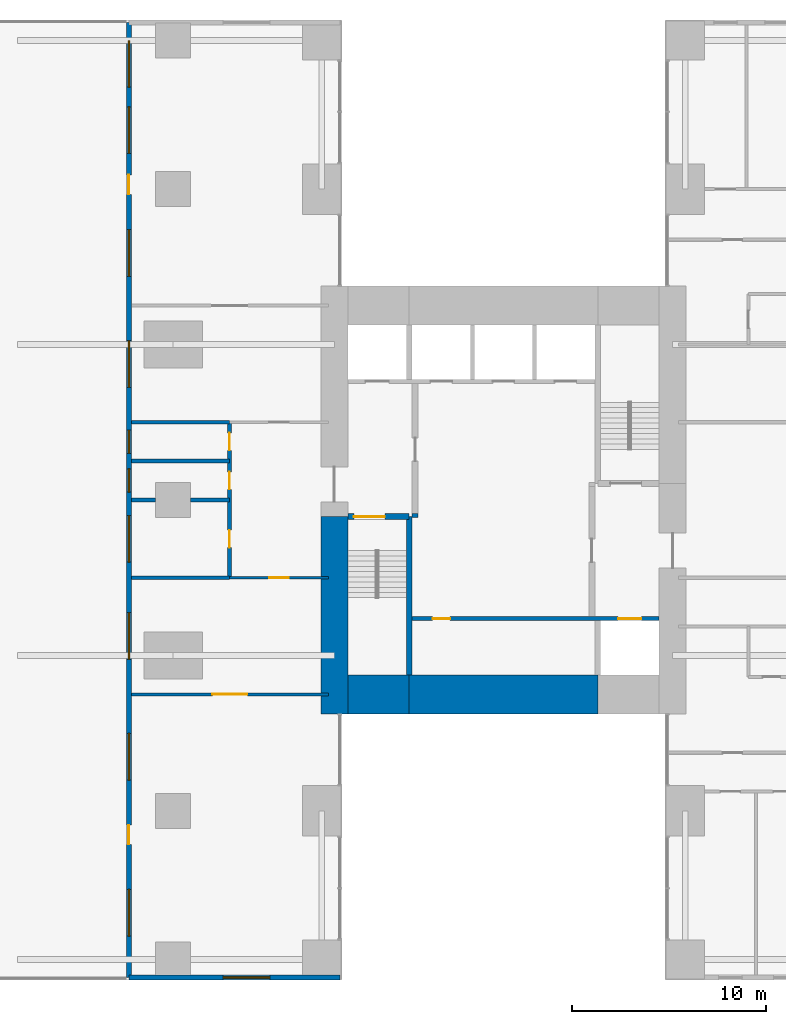
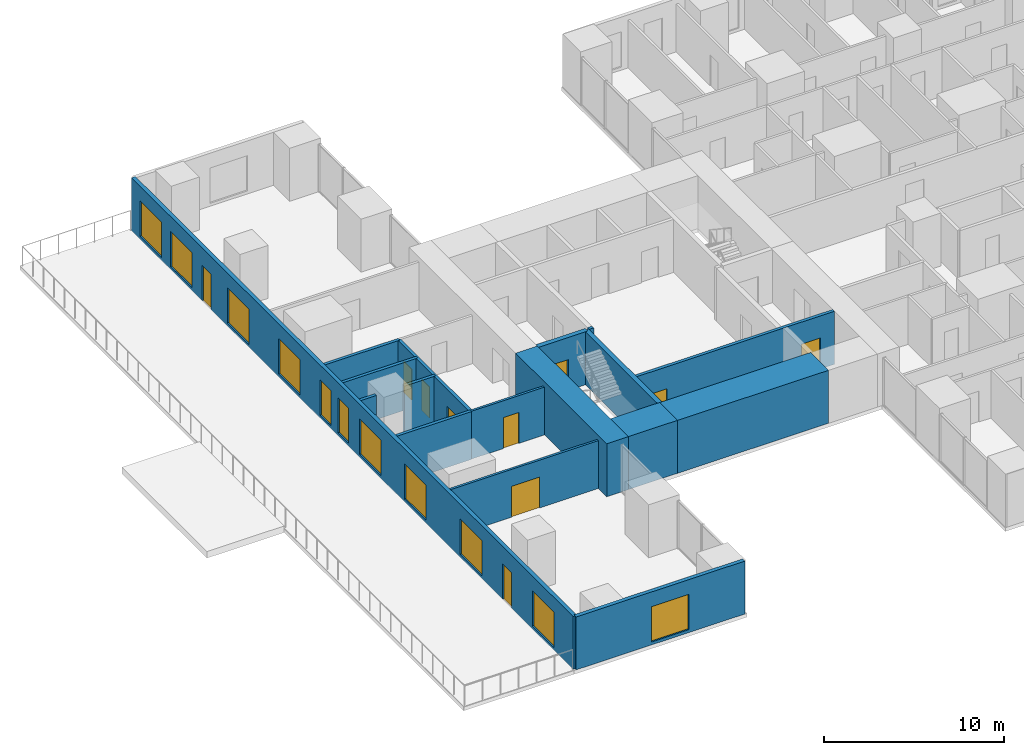
# One storey, part 9 of 15: 17 walls, 11 windows, 10 doors, 21 openings.
"""IFC4 building model written with IfcOpenShell, lengths in metres."""

from ifc_helpers import new_model, si_unit, direction, frame, frame_2d, origin, place, context, subcontext, project, spatial, rectangle, extrude, material, layer, layer_set, type_object, element, fill, save


model = new_model("IFC4")

# Units and contexts
model_context = context("Model", 3, precision=1e-05, world=origin(), true_north=direction((0.0, 1.0)))
body_context = subcontext(model_context, "Body", "Model", "MODEL_VIEW")
ifc_project = project(units=[si_unit("LENGTHUNIT", "METRE"), si_unit("AREAUNIT", "SQUARE_METRE"), si_unit("VOLUMEUNIT", "CUBIC_METRE"), si_unit("PLANEANGLEUNIT", "RADIAN"), si_unit("MASSUNIT", "GRAM", prefix="KILO")], contexts=[model_context])

# Site, building, storey
site_placement = place(None, origin())
site = spatial("IfcSite", under=ifc_project, at=site_placement, CompositionType="ELEMENT")
building_placement = place(site_placement, origin())
building = spatial("IfcBuilding", under=site, at=building_placement, Name="Cleftline Residences", CompositionType="ELEMENT")
storey_placement = place(building_placement, frame((0.0, 0.0, 221.800048828125)))
storey = spatial("IfcBuildingStorey", under=building, at=storey_placement, Name="L58", CompositionType="ELEMENT", Elevation=221.800048828125)

# Walls
ifc_material_1 = material(Name="Concrete B70", Category="concrete")
ifc_layer_1 = layer(ifc_material_1, 1.39990234375)
ifc_layer_set_1 = layer_set([ifc_layer_1], Name="CORE WALL 1400")
wall_type_1 = type_object("IfcWallType", Name="CORE WALL 1400", PredefinedType="SHEAR", material=ifc_layer_set_1)
wall_1_placement = place(storey_placement, frame((24.300048828125, 13.0, 0.0), z_axis=(0.0, 0.0, 1.0), x_axis=(0.0, 1.0, 0.0)))
element("IfcWall", 1, at=wall_1_placement, inside=storey, type_object=wall_type_1, Name="Core wall W0", PredefinedType="SHEAR", context=body_context, shape_type="SweptSolid", body=[
    extrude(rectangle(XDim=10.14990234375, YDim=1.39990234375, at=frame_2d((5.074951171875, 0.0))), origin(), (0.0, 0.0, 1.0), 3.599853515625),
])
ifc_material_2 = material(Name="Concrete B70", Category="concrete")
ifc_layer_2 = layer(ifc_material_2, 2.0)
ifc_layer_set_2 = layer_set([ifc_layer_2], Name="CORE WALL 2000")
wall_type_2 = type_object("IfcWallType", Name="CORE WALL 2000", PredefinedType="SHEAR", material=ifc_layer_set_2)
wall_2_placement = place(storey_placement, frame((25.0, 14.0, 0.0), z_axis=(0.0, 0.0, 1.0), x_axis=(1.0, 0.0, 0.0)))
element("IfcWall", 2, at=wall_2_placement, inside=storey, type_object=wall_type_2, Name="Core wall S1", PredefinedType="SHEAR", context=body_context, shape_type="SweptSolid", body=[
    extrude(rectangle(XDim=3.14990234375, YDim=2.0, at=frame_2d((1.574951171875, 0.0))), origin(), (0.0, 0.0, 1.0), 3.599853515625),
])
wall_3_placement = place(storey_placement, frame((28.14990234375, 14.0, 0.0), z_axis=(0.0, 0.0, 1.0), x_axis=(1.0, 0.0, 0.0)))
element("IfcWall", 3, at=wall_3_placement, inside=storey, type_object=wall_type_2, Name="Core wall S2", PredefinedType="SHEAR", context=body_context, shape_type="SweptSolid", body=[
    extrude(rectangle(XDim=9.7001953125, YDim=2.0, at=frame_2d((4.85009765625, 0.0))), origin(), (0.0, 0.0, 1.0), 3.599853515625),
])
ifc_material_3 = material(Name="Concrete B70", Category="concrete")
ifc_layer_3 = layer(ifc_material_3, 0.300048828125)
ifc_layer_set_3 = layer_set([ifc_layer_3], Name="CORE WALL 300")
wall_type_3 = type_object("IfcWallType", Name="CORE WALL 300", PredefinedType="SHEAR", material=ifc_layer_set_3)
wall_4_placement = place(storey_placement, frame((28.14990234375, 15.0, 0.0), z_axis=(0.0, 0.0, 1.0), x_axis=(0.0, 1.0, 0.0)))
element("IfcWall", 4, at=wall_4_placement, inside=storey, type_object=wall_type_3, Name="Core wall SA-E", PredefinedType="SHEAR", context=body_context, shape_type="SweptSolid", body=[
    extrude(rectangle(XDim=8.14990234375, YDim=0.300048828125, at=frame_2d((4.074951171875, 0.0))), origin(), (0.0, 0.0, 1.0), 3.599853515625),
])

# Wall, opening, door
wall_5_placement = place(storey_placement, frame((25.0, 23.14990234375, 0.0), z_axis=(0.0, 0.0, 1.0), x_axis=(1.0, 0.0, 0.0)))
wall_5 = element("IfcWall", 5, at=wall_5_placement, inside=storey, type_object=wall_type_3, Name="Core wall SA-N", PredefinedType="SHEAR", context=body_context, shape_type="SweptSolid", body=[
    extrude(rectangle(XDim=3.14990234375, YDim=0.300048828125, at=frame_2d((1.574951171875, 0.0))), origin(), (0.0, 0.0, 1.0), 3.599853515625),
])
opening_1_placement = place(wall_5_placement, frame((0.300048828125, 0.0, 0.0)))
opening_1 = element("IfcOpeningElement", 6, at=opening_1_placement, cuts=wall_5, Name="Opening D9", PredefinedType="OPENING", context=body_context, shape_type="SweptSolid", body=[
    extrude(rectangle(XDim=1.60009765625, YDim=2.10009765625, at=frame_2d((0.800048828125, 1.050048828125))), frame((0.0, 0.159912109375, 0.0), z_axis=(0.0, -1.0, 0.0), x_axis=(1.0, 0.0, 0.0)), (0.0, 0.0, 1.0), 0.320068359375),
])
ifc_material_4 = material(Name="Steel", Category="steel")
door_type_1 = type_object("IfcDoorType", Name="STAIR DOOR 1600X2100", OperationType="DOUBLE_DOOR_SINGLE_SWING", PredefinedType="DOOR", material=ifc_material_4)
door_1_placement = place(opening_1_placement, origin())
door_1 = element("IfcDoor", 7, at=door_1_placement, inside=storey, type_object=door_type_1, Name="Stair A door", OperationType="DOUBLE_DOOR_SINGLE_SWING", OverallHeight=2.10009765625, OverallWidth=1.60009765625, PredefinedType="DOOR", context=body_context, shape_type="SweptSolid", body=[
    extrude(rectangle(XDim=1.60009765625, YDim=2.10009765625, at=frame_2d((0.800048828125, 1.050048828125))), frame((0.0, 0.02490234375, 0.0), z_axis=(0.0, -1.0, 0.0), x_axis=(1.0, 0.0, 0.0)), (0.0, 0.0, 1.0), 0.050048828125),
])
fill(opening_1, door_1)

# Wall, openings, doors, windows
ifc_material_5 = material(Name="Rendered reinforced concrete blockwork", Category="masonry")
ifc_layer_4 = layer(ifc_material_5, 0.25)
ifc_layer_set_4 = layer_set([ifc_layer_4], Name="EXTERNAL WALL 250")
wall_type_4 = type_object("IfcWallType", Name="EXTERNAL WALL 250", PredefinedType="SOLIDWALL", material=ifc_layer_set_4)
wall_6_placement = place(storey_placement, frame((13.72509765625, 48.574951171875, 0.0), z_axis=(0.0, 0.0, 1.0), x_axis=(0.0, -1.0, 0.0)))
wall_6 = element("IfcWall", 8, at=wall_6_placement, inside=storey, type_object=wall_type_4, Name="External wall", PredefinedType="SOLIDWALL", context=body_context, shape_type="SweptSolid", body=[
    extrude(rectangle(XDim=49.14990234375, YDim=0.25, at=frame_2d((24.574951171875, 0.0))), origin(), (0.0, 0.0, 1.0), 3.599853515625),
])
opening_2_placement = place(wall_6_placement, frame((7.85009765625, 0.0, 0.0)))
opening_2 = element("IfcOpeningElement", 9, at=opening_2_placement, cuts=wall_6, Name="Opening DT1", PredefinedType="OPENING", context=body_context, shape_type="SweptSolid", body=[
    extrude(rectangle(XDim=1.0, YDim=2.39990234375, at=frame_2d((0.5, 1.199951171875))), frame((0.0, 0.135009765625, 0.0), z_axis=(0.0, -1.0, 0.0), x_axis=(1.0, 0.0, 0.0)), (0.0, 0.0, 1.0), 0.27001953125),
])
opening_3_placement = place(wall_6_placement, frame((0.93115234375, 0.0, 0.199951171875)))
opening_3 = element("IfcOpeningElement", 10, at=opening_3_placement, cuts=wall_6, Name="Opening W9", PredefinedType="OPENING", context=body_context, shape_type="SweptSolid", body=[
    extrude(rectangle(XDim=2.39990234375, YDim=2.39990234375, at=frame_2d((1.199951171875, 1.199951171875))), frame((0.0, 0.135009765625, 0.0), z_axis=(0.0, -1.0, 0.0), x_axis=(1.0, 0.0, 0.0)), (0.0, 0.0, 1.0), 0.27001953125),
])
opening_4_placement = place(wall_6_placement, frame((4.34375, 0.0, 0.199951171875)))
opening_4 = element("IfcOpeningElement", 11, at=opening_4_placement, cuts=wall_6, Name="Opening W9", PredefinedType="OPENING", context=body_context, shape_type="SweptSolid", body=[
    extrude(rectangle(XDim=2.39990234375, YDim=2.39990234375, at=frame_2d((1.199951171875, 1.199951171875))), frame((0.0, 0.135009765625, 0.0), z_axis=(0.0, -1.0, 0.0), x_axis=(1.0, 0.0, 0.0)), (0.0, 0.0, 1.0), 0.27001953125),
])
opening_5_placement = place(wall_6_placement, frame((10.66259765625, 0.0, 0.199951171875)))
opening_5 = element("IfcOpeningElement", 12, at=opening_5_placement, cuts=wall_6, Name="Opening W9", PredefinedType="OPENING", context=body_context, shape_type="SweptSolid", body=[
    extrude(rectangle(XDim=2.39990234375, YDim=2.39990234375, at=frame_2d((1.199951171875, 1.199951171875))), frame((0.0, 0.135009765625, 0.0), z_axis=(0.0, -1.0, 0.0), x_axis=(1.0, 0.0, 0.0)), (0.0, 0.0, 1.0), 0.27001953125),
])
opening_6_placement = place(wall_6_placement, frame((16.375, 0.0, 0.199951171875)))
opening_6 = element("IfcOpeningElement", 13, at=opening_6_placement, cuts=wall_6, Name="Opening W9", PredefinedType="OPENING", context=body_context, shape_type="SweptSolid", body=[
    extrude(rectangle(XDim=2.39990234375, YDim=2.39990234375, at=frame_2d((1.199951171875, 1.199951171875))), frame((0.0, 0.135009765625, 0.0), z_axis=(0.0, -1.0, 0.0), x_axis=(1.0, 0.0, 0.0)), (0.0, 0.0, 1.0), 0.27001953125),
])
opening_7_placement = place(wall_6_placement, frame((20.97509765625, 0.0, 0.199951171875)))
opening_7 = element("IfcOpeningElement", 14, at=opening_7_placement, cuts=wall_6, Name="Opening W13", PredefinedType="OPENING", context=body_context, shape_type="SweptSolid", body=[
    extrude(rectangle(XDim=1.199951171875, YDim=2.39990234375, at=frame_2d((0.60009765625, 1.199951171875))), frame((0.0, 0.135009765625, 0.0), z_axis=(0.0, -1.0, 0.0), x_axis=(1.0, 0.0, 0.0)), (0.0, 0.0, 1.0), 0.27001953125),
])
opening_8_placement = place(wall_6_placement, frame((22.97509765625, 0.0, 0.199951171875)))
opening_8 = element("IfcOpeningElement", 15, at=opening_8_placement, cuts=wall_6, Name="Opening W13", PredefinedType="OPENING", context=body_context, shape_type="SweptSolid", body=[
    extrude(rectangle(XDim=1.199951171875, YDim=2.39990234375, at=frame_2d((0.60009765625, 1.199951171875))), frame((0.0, 0.135009765625, 0.0), z_axis=(0.0, -1.0, 0.0), x_axis=(1.0, 0.0, 0.0)), (0.0, 0.0, 1.0), 0.27001953125),
])
opening_9_placement = place(wall_6_placement, frame((25.375, 0.0, 0.199951171875)))
opening_9 = element("IfcOpeningElement", 16, at=opening_9_placement, cuts=wall_6, Name="Opening W9", PredefinedType="OPENING", context=body_context, shape_type="SweptSolid", body=[
    extrude(rectangle(XDim=2.39990234375, YDim=2.39990234375, at=frame_2d((1.199951171875, 1.199951171875))), frame((0.0, 0.135009765625, 0.0), z_axis=(0.0, -1.0, 0.0), x_axis=(1.0, 0.0, 0.0)), (0.0, 0.0, 1.0), 0.27001953125),
])
opening_10_placement = place(wall_6_placement, frame((30.375, 0.0, 0.199951171875)))
opening_10 = element("IfcOpeningElement", 17, at=opening_10_placement, cuts=wall_6, Name="Opening W9", PredefinedType="OPENING", context=body_context, shape_type="SweptSolid", body=[
    extrude(rectangle(XDim=2.39990234375, YDim=2.39990234375, at=frame_2d((1.199951171875, 1.199951171875))), frame((0.0, 0.135009765625, 0.0), z_axis=(0.0, -1.0, 0.0), x_axis=(1.0, 0.0, 0.0)), (0.0, 0.0, 1.0), 0.27001953125),
])
opening_11_placement = place(wall_6_placement, frame((41.300048828125, 0.0, 0.0)))
opening_11 = element("IfcOpeningElement", 18, at=opening_11_placement, cuts=wall_6, Name="Opening DT1", PredefinedType="OPENING", context=body_context, shape_type="SweptSolid", body=[
    extrude(rectangle(XDim=1.0, YDim=2.39990234375, at=frame_2d((0.5, 1.199951171875))), frame((0.0, 0.135009765625, 0.0), z_axis=(0.0, -1.0, 0.0), x_axis=(1.0, 0.0, 0.0)), (0.0, 0.0, 1.0), 0.27001953125),
])
opening_12_placement = place(wall_6_placement, frame((36.58740234375, 0.0, 0.199951171875)))
opening_12 = element("IfcOpeningElement", 19, at=opening_12_placement, cuts=wall_6, Name="Opening W9", PredefinedType="OPENING", context=body_context, shape_type="SweptSolid", body=[
    extrude(rectangle(XDim=2.39990234375, YDim=2.39990234375, at=frame_2d((1.199951171875, 1.199951171875))), frame((0.0, 0.135009765625, 0.0), z_axis=(0.0, -1.0, 0.0), x_axis=(1.0, 0.0, 0.0)), (0.0, 0.0, 1.0), 0.27001953125),
])
opening_13_placement = place(wall_6_placement, frame((44.612548828125, 0.0, 0.199951171875)))
opening_13 = element("IfcOpeningElement", 20, at=opening_13_placement, cuts=wall_6, Name="Opening W9", PredefinedType="OPENING", context=body_context, shape_type="SweptSolid", body=[
    extrude(rectangle(XDim=2.39990234375, YDim=2.39990234375, at=frame_2d((1.199951171875, 1.199951171875))), frame((0.0, 0.135009765625, 0.0), z_axis=(0.0, -1.0, 0.0), x_axis=(1.0, 0.0, 0.0)), (0.0, 0.0, 1.0), 0.27001953125),
])
ifc_material_6 = material(Name="Aluminium and laminated glass", Category="aluminium")
door_type_2 = type_object("IfcDoorType", Name="TERRACE DOOR 1000X2400", OperationType="SINGLE_SWING_LEFT", PredefinedType="DOOR", material=ifc_material_6)
door_2_placement = place(opening_2_placement, origin())
door_2 = element("IfcDoor", 21, at=door_2_placement, inside=storey, type_object=door_type_2, Name="Terrace door", OperationType="SINGLE_SWING_RIGHT", OverallHeight=2.39990234375, OverallWidth=1.0, PredefinedType="DOOR", context=body_context, shape_type="SweptSolid", body=[
    extrude(rectangle(XDim=1.0, YDim=2.39990234375, at=frame_2d((0.5, 1.199951171875))), frame((0.0, 0.02490234375, 0.0), z_axis=(0.0, -1.0, 0.0), x_axis=(1.0, 0.0, 0.0)), (0.0, 0.0, 1.0), 0.050048828125),
])
fill(opening_2, door_2)
door_3_placement = place(opening_11_placement, origin())
door_3 = element("IfcDoor", 22, at=door_3_placement, inside=storey, type_object=door_type_2, Name="Terrace door", OperationType="SINGLE_SWING_LEFT", OverallHeight=2.39990234375, OverallWidth=1.0, PredefinedType="DOOR", context=body_context, shape_type="SweptSolid", body=[
    extrude(rectangle(XDim=1.0, YDim=2.39990234375, at=frame_2d((0.5, 1.199951171875))), frame((0.0, 0.02490234375, 0.0), z_axis=(0.0, -1.0, 0.0), x_axis=(1.0, 0.0, 0.0)), (0.0, 0.0, 1.0), 0.050048828125),
])
fill(opening_11, door_3)
ifc_material_7 = material(Name="Aluminium frame, clear double glazing", Category="aluminium")
window_type_1 = type_object("IfcWindowType", Name="WINDOW 1200X2400", PartitioningType="DOUBLE_PANEL_VERTICAL", PredefinedType="WINDOW", material=ifc_material_7)
window_1_placement = place(opening_7_placement, origin())
window_1 = element("IfcWindow", 23, at=window_1_placement, inside=storey, type_object=window_type_1, Name="Window", OverallHeight=2.39990234375, OverallWidth=1.199951171875, PartitioningType="SINGLE_PANEL", PredefinedType="WINDOW", context=body_context, shape_type="SweptSolid", body=[
    extrude(rectangle(XDim=1.199951171875, YDim=2.39990234375, at=frame_2d((0.60009765625, 1.199951171875))), frame((0.0, 0.030029296875, 0.0), z_axis=(0.0, -1.0, 0.0), x_axis=(1.0, 0.0, 0.0)), (0.0, 0.0, 1.0), 0.06005859375),
])
fill(opening_7, window_1)
window_2_placement = place(opening_8_placement, origin())
window_2 = element("IfcWindow", 24, at=window_2_placement, inside=storey, type_object=window_type_1, Name="Window", OverallHeight=2.39990234375, OverallWidth=1.199951171875, PartitioningType="SINGLE_PANEL", PredefinedType="WINDOW", context=body_context, shape_type="SweptSolid", body=[
    extrude(rectangle(XDim=1.199951171875, YDim=2.39990234375, at=frame_2d((0.60009765625, 1.199951171875))), frame((0.0, 0.030029296875, 0.0), z_axis=(0.0, -1.0, 0.0), x_axis=(1.0, 0.0, 0.0)), (0.0, 0.0, 1.0), 0.06005859375),
])
fill(opening_8, window_2)
ifc_material_8 = material(Name="Aluminium frame, clear double glazing", Category="aluminium")
window_type_2 = type_object("IfcWindowType", Name="WINDOW 2400X2400", PartitioningType="DOUBLE_PANEL_VERTICAL", PredefinedType="WINDOW", material=ifc_material_8)
window_3_placement = place(opening_3_placement, origin())
window_3 = element("IfcWindow", 25, at=window_3_placement, inside=storey, type_object=window_type_2, Name="Window", OverallHeight=2.39990234375, OverallWidth=2.39990234375, PartitioningType="SINGLE_PANEL", PredefinedType="WINDOW", context=body_context, shape_type="SweptSolid", body=[
    extrude(rectangle(XDim=2.39990234375, YDim=2.39990234375, at=frame_2d((1.199951171875, 1.199951171875))), frame((0.0, 0.030029296875, 0.0), z_axis=(0.0, -1.0, 0.0), x_axis=(1.0, 0.0, 0.0)), (0.0, 0.0, 1.0), 0.06005859375),
])
fill(opening_3, window_3)
window_4_placement = place(opening_4_placement, origin())
window_4 = element("IfcWindow", 26, at=window_4_placement, inside=storey, type_object=window_type_2, Name="Window", OverallHeight=2.39990234375, OverallWidth=2.39990234375, PartitioningType="SINGLE_PANEL", PredefinedType="WINDOW", context=body_context, shape_type="SweptSolid", body=[
    extrude(rectangle(XDim=2.39990234375, YDim=2.39990234375, at=frame_2d((1.199951171875, 1.199951171875))), frame((0.0, 0.030029296875, 0.0), z_axis=(0.0, -1.0, 0.0), x_axis=(1.0, 0.0, 0.0)), (0.0, 0.0, 1.0), 0.06005859375),
])
fill(opening_4, window_4)
window_5_placement = place(opening_5_placement, origin())
window_5 = element("IfcWindow", 27, at=window_5_placement, inside=storey, type_object=window_type_2, Name="Window", OverallHeight=2.39990234375, OverallWidth=2.39990234375, PartitioningType="SINGLE_PANEL", PredefinedType="WINDOW", context=body_context, shape_type="SweptSolid", body=[
    extrude(rectangle(XDim=2.39990234375, YDim=2.39990234375, at=frame_2d((1.199951171875, 1.199951171875))), frame((0.0, 0.030029296875, 0.0), z_axis=(0.0, -1.0, 0.0), x_axis=(1.0, 0.0, 0.0)), (0.0, 0.0, 1.0), 0.06005859375),
])
fill(opening_5, window_5)
window_6_placement = place(opening_6_placement, origin())
window_6 = element("IfcWindow", 28, at=window_6_placement, inside=storey, type_object=window_type_2, Name="Window", OverallHeight=2.39990234375, OverallWidth=2.39990234375, PartitioningType="SINGLE_PANEL", PredefinedType="WINDOW", context=body_context, shape_type="SweptSolid", body=[
    extrude(rectangle(XDim=2.39990234375, YDim=2.39990234375, at=frame_2d((1.199951171875, 1.199951171875))), frame((0.0, 0.030029296875, 0.0), z_axis=(0.0, -1.0, 0.0), x_axis=(1.0, 0.0, 0.0)), (0.0, 0.0, 1.0), 0.06005859375),
])
fill(opening_6, window_6)
window_7_placement = place(opening_9_placement, origin())
window_7 = element("IfcWindow", 29, at=window_7_placement, inside=storey, type_object=window_type_2, Name="Window", OverallHeight=2.39990234375, OverallWidth=2.39990234375, PartitioningType="SINGLE_PANEL", PredefinedType="WINDOW", context=body_context, shape_type="SweptSolid", body=[
    extrude(rectangle(XDim=2.39990234375, YDim=2.39990234375, at=frame_2d((1.199951171875, 1.199951171875))), frame((0.0, 0.030029296875, 0.0), z_axis=(0.0, -1.0, 0.0), x_axis=(1.0, 0.0, 0.0)), (0.0, 0.0, 1.0), 0.06005859375),
])
fill(opening_9, window_7)
window_8_placement = place(opening_10_placement, origin())
window_8 = element("IfcWindow", 30, at=window_8_placement, inside=storey, type_object=window_type_2, Name="Window", OverallHeight=2.39990234375, OverallWidth=2.39990234375, PartitioningType="SINGLE_PANEL", PredefinedType="WINDOW", context=body_context, shape_type="SweptSolid", body=[
    extrude(rectangle(XDim=2.39990234375, YDim=2.39990234375, at=frame_2d((1.199951171875, 1.199951171875))), frame((0.0, 0.030029296875, 0.0), z_axis=(0.0, -1.0, 0.0), x_axis=(1.0, 0.0, 0.0)), (0.0, 0.0, 1.0), 0.06005859375),
])
fill(opening_10, window_8)
window_9_placement = place(opening_12_placement, origin())
window_9 = element("IfcWindow", 31, at=window_9_placement, inside=storey, type_object=window_type_2, Name="Window", OverallHeight=2.39990234375, OverallWidth=2.39990234375, PartitioningType="SINGLE_PANEL", PredefinedType="WINDOW", context=body_context, shape_type="SweptSolid", body=[
    extrude(rectangle(XDim=2.39990234375, YDim=2.39990234375, at=frame_2d((1.199951171875, 1.199951171875))), frame((0.0, 0.030029296875, 0.0), z_axis=(0.0, -1.0, 0.0), x_axis=(1.0, 0.0, 0.0)), (0.0, 0.0, 1.0), 0.06005859375),
])
fill(opening_12, window_9)
window_10_placement = place(opening_13_placement, origin())
window_10 = element("IfcWindow", 32, at=window_10_placement, inside=storey, type_object=window_type_2, Name="Window", OverallHeight=2.39990234375, OverallWidth=2.39990234375, PartitioningType="SINGLE_PANEL", PredefinedType="WINDOW", context=body_context, shape_type="SweptSolid", body=[
    extrude(rectangle(XDim=2.39990234375, YDim=2.39990234375, at=frame_2d((1.199951171875, 1.199951171875))), frame((0.0, 0.030029296875, 0.0), z_axis=(0.0, -1.0, 0.0), x_axis=(1.0, 0.0, 0.0)), (0.0, 0.0, 1.0), 0.06005859375),
])
fill(opening_13, window_10)

# Wall, opening, window
wall_7_placement = place(storey_placement, frame((13.72509765625, -0.574951171875, 0.0), z_axis=(0.0, 0.0, 1.0), x_axis=(1.0, 0.0, 0.0)))
wall_7 = element("IfcWall", 33, at=wall_7_placement, inside=storey, type_object=wall_type_4, Name="External wall", PredefinedType="SOLIDWALL", context=body_context, shape_type="SweptSolid", body=[
    extrude(rectangle(XDim=10.849853515625, YDim=0.25, at=frame_2d((5.4248046875, 0.0))), origin(), (0.0, 0.0, 1.0), 3.599853515625),
])
opening_14_placement = place(wall_7_placement, frame((4.85009765625, 0.0, 0.199951171875)))
opening_14 = element("IfcOpeningElement", 34, at=opening_14_placement, cuts=wall_7, Name="Opening W9", PredefinedType="OPENING", context=body_context, shape_type="SweptSolid", body=[
    extrude(rectangle(XDim=2.39990234375, YDim=2.39990234375, at=frame_2d((1.199951171875, 1.199951171875))), frame((0.0, 0.135009765625, 0.0), z_axis=(0.0, -1.0, 0.0), x_axis=(1.0, 0.0, 0.0)), (0.0, 0.0, 1.0), 0.27001953125),
])
window_11_placement = place(opening_14_placement, origin())
window_11 = element("IfcWindow", 35, at=window_11_placement, inside=storey, type_object=window_type_2, Name="Window", OverallHeight=2.39990234375, OverallWidth=2.39990234375, PartitioningType="SINGLE_PANEL", PredefinedType="WINDOW", context=body_context, shape_type="SweptSolid", body=[
    extrude(rectangle(XDim=2.39990234375, YDim=2.39990234375, at=frame_2d((1.199951171875, 1.199951171875))), frame((0.0, 0.030029296875, 0.0), z_axis=(0.0, -1.0, 0.0), x_axis=(1.0, 0.0, 0.0)), (0.0, 0.0, 1.0), 0.06005859375),
])
fill(opening_14, window_11)

# Walls
ifc_material_9 = material(Name="Concrete blockwork, fire rated", Category="masonry")
ifc_layer_5 = layer(ifc_material_9, 0.199951171875)
ifc_layer_set_5 = layer_set([ifc_layer_5], Name="FIRE WALL 200")
wall_type_5 = type_object("IfcWallType", Name="FIRE WALL 200", PredefinedType="PARTITIONING", material=ifc_layer_set_5)
wall_8_placement = place(storey_placement, frame((13.85009765625, 20.0, 0.0), z_axis=(0.0, 0.0, 1.0), x_axis=(1.0, 0.0, 0.0)))
element("IfcWall", 36, at=wall_8_placement, inside=storey, type_object=wall_type_5, Name="Fire separating wall", PredefinedType="PARTITIONING", context=body_context, shape_type="SweptSolid", body=[
    extrude(rectangle(XDim=5.0498046875, YDim=0.199951171875, at=frame_2d((2.52490234375, 0.0))), origin(), (0.0, 0.0, 1.0), 3.25),
])
wall_9_placement = place(storey_placement, frame((13.85009765625, 24.0, 0.0), z_axis=(0.0, 0.0, 1.0), x_axis=(1.0, 0.0, 0.0)))
element("IfcWall", 37, at=wall_9_placement, inside=storey, type_object=wall_type_5, Name="Fire separating wall", PredefinedType="PARTITIONING", context=body_context, shape_type="SweptSolid", body=[
    extrude(rectangle(XDim=1.25, YDim=0.199951171875, at=frame_2d((0.625, 0.0))), origin(), (0.0, 0.0, 1.0), 3.25),
])
wall_10_placement = place(storey_placement, frame((16.89990234375, 24.0, 0.0), z_axis=(0.0, 0.0, 1.0), x_axis=(1.0, 0.0, 0.0)))
element("IfcWall", 38, at=wall_10_placement, inside=storey, type_object=wall_type_5, Name="Fire separating wall", PredefinedType="PARTITIONING", context=body_context, shape_type="SweptSolid", body=[
    extrude(rectangle(XDim=2.0, YDim=0.199951171875, at=frame_2d((1.0, 0.0))), origin(), (0.0, 0.0, 1.0), 3.25),
])
for number, where, z_axis, x_axis, name in (
    (39, (13.85009765625, 26.0, 0.0), (0.0, 0.0, 1.0), (1.0, 0.0, 0.0), "Fire separating wall"),
    (40, (13.85009765625, 28.0, 0.0), (0.0, 0.0, 1.0), (1.0, 0.0, 0.0), "Fire separating wall"),
):
    element("IfcWall", number, at=place(storey_placement, frame(where, z_axis=z_axis, x_axis=x_axis)), inside=storey, type_object=wall_type_5, Name=name, PredefinedType="PARTITIONING", context=body_context, shape_type="SweptSolid", body=[
        extrude(rectangle(XDim=5.0498046875, YDim=0.199951171875, at=frame_2d((2.52490234375, 0.0))), origin(), (0.0, 0.0, 1.0), 3.25),
    ])

# Wall, openings, doors
wall_11_placement = place(storey_placement, frame((18.89990234375, 20.0, 0.0), z_axis=(0.0, 0.0, 1.0), x_axis=(0.0, 1.0, 0.0)))
wall_11 = element("IfcWall", 41, at=wall_11_placement, inside=storey, type_object=wall_type_5, Name="Fire separating wall", PredefinedType="PARTITIONING", context=body_context, shape_type="SweptSolid", body=[
    extrude(rectangle(XDim=8.0, YDim=0.199951171875, at=frame_2d((4.0, 0.0))), origin(), (0.0, 0.0, 1.0), 3.25),
])
opening_15_placement = place(wall_11_placement, frame((1.550048828125, 0.0, 0.0)))
opening_15 = element("IfcOpeningElement", 42, at=opening_15_placement, cuts=wall_11, Name="Opening D1F30", PredefinedType="OPENING", context=body_context, shape_type="SweptSolid", body=[
    extrude(rectangle(XDim=0.89990234375, YDim=2.10009765625, at=frame_2d((0.449951171875, 1.050048828125))), frame((0.0, 0.10986328125, 0.0), z_axis=(0.0, -1.0, 0.0), x_axis=(1.0, 0.0, 0.0)), (0.0, 0.0, 1.0), 0.219970703125),
])
opening_16_placement = place(wall_11_placement, frame((4.550048828125, 0.0, 0.0)))
opening_16 = element("IfcOpeningElement", 43, at=opening_16_placement, cuts=wall_11, Name="Opening D1F30", PredefinedType="OPENING", context=body_context, shape_type="SweptSolid", body=[
    extrude(rectangle(XDim=0.89990234375, YDim=2.10009765625, at=frame_2d((0.449951171875, 1.050048828125))), frame((0.0, 0.10986328125, 0.0), z_axis=(0.0, -1.0, 0.0), x_axis=(1.0, 0.0, 0.0)), (0.0, 0.0, 1.0), 0.219970703125),
])
opening_17_placement = place(wall_11_placement, frame((6.550048828125, 0.0, 0.0)))
opening_17 = element("IfcOpeningElement", 44, at=opening_17_placement, cuts=wall_11, Name="Opening D1F30", PredefinedType="OPENING", context=body_context, shape_type="SweptSolid", body=[
    extrude(rectangle(XDim=0.89990234375, YDim=2.10009765625, at=frame_2d((0.449951171875, 1.050048828125))), frame((0.0, 0.10986328125, 0.0), z_axis=(0.0, -1.0, 0.0), x_axis=(1.0, 0.0, 0.0)), (0.0, 0.0, 1.0), 0.219970703125),
])
ifc_material_10 = material(Name="Timber veneer on solid core", Category="wood")
door_type_3 = type_object("IfcDoorType", Name="DOOR 900X2100 EI 30", OperationType="SINGLE_SWING_LEFT", PredefinedType="DOOR", material=ifc_material_10)
door_4_placement = place(opening_15_placement, origin())
door_4 = element("IfcDoor", 45, at=door_4_placement, inside=storey, type_object=door_type_3, Name="Door to male wc", OperationType="SINGLE_SWING_RIGHT", OverallHeight=2.10009765625, OverallWidth=0.89990234375, PredefinedType="DOOR", context=body_context, shape_type="SweptSolid", body=[
    extrude(rectangle(XDim=0.89990234375, YDim=2.10009765625, at=frame_2d((0.449951171875, 1.050048828125))), frame((0.0, 0.02490234375, 0.0), z_axis=(0.0, -1.0, 0.0), x_axis=(1.0, 0.0, 0.0)), (0.0, 0.0, 1.0), 0.050048828125),
])
fill(opening_15, door_4)
door_5_placement = place(opening_16_placement, origin())
door_5 = element("IfcDoor", 46, at=door_5_placement, inside=storey, type_object=door_type_3, Name="Door to female wc", OperationType="SINGLE_SWING_LEFT", OverallHeight=2.10009765625, OverallWidth=0.89990234375, PredefinedType="DOOR", context=body_context, shape_type="SweptSolid", body=[
    extrude(rectangle(XDim=0.89990234375, YDim=2.10009765625, at=frame_2d((0.449951171875, 1.050048828125))), frame((0.0, 0.02490234375, 0.0), z_axis=(0.0, -1.0, 0.0), x_axis=(1.0, 0.0, 0.0)), (0.0, 0.0, 1.0), 0.050048828125),
])
fill(opening_16, door_5)
door_6_placement = place(opening_17_placement, origin())
door_6 = element("IfcDoor", 47, at=door_6_placement, inside=storey, type_object=door_type_3, Name="Door to accessible wc", OperationType="SINGLE_SWING_LEFT", OverallHeight=2.10009765625, OverallWidth=0.89990234375, PredefinedType="DOOR", context=body_context, shape_type="SweptSolid", body=[
    extrude(rectangle(XDim=0.89990234375, YDim=2.10009765625, at=frame_2d((0.449951171875, 1.050048828125))), frame((0.0, 0.02490234375, 0.0), z_axis=(0.0, -1.0, 0.0), x_axis=(1.0, 0.0, 0.0)), (0.0, 0.0, 1.0), 0.050048828125),
])
fill(opening_17, door_6)

# Wall
wall_12_placement = place(storey_placement, frame((28.300048828125, 23.199951171875, 0.0), z_axis=(0.0, 0.0, 1.0), x_axis=(1.0, 0.0, 0.0)))
element("IfcWall", 48, at=wall_12_placement, inside=storey, type_object=wall_type_5, Name="Fire separating wall", PredefinedType="PARTITIONING", context=body_context, shape_type="SweptSolid", body=[
    extrude(rectangle(XDim=0.300048828125, YDim=0.199951171875, at=frame_2d((0.14990234375, 0.0))), origin(), (0.0, 0.0, 1.0), 3.599853515625),
])

# Wall, opening, door
ifc_material_11 = material(Name="Gypsum board on steel studs", Category="steel")
ifc_layer_6 = layer(ifc_material_11, 0.14990234375)
ifc_layer_set_6 = layer_set([ifc_layer_6], Name="PARTITION 150")
wall_type_6 = type_object("IfcWallType", Name="PARTITION 150", PredefinedType="PARTITIONING", material=ifc_layer_set_6)
wall_13_placement = place(storey_placement, frame((13.85009765625, 14.0, 0.0), z_axis=(0.0, 0.0, 1.0), x_axis=(1.0, 0.0, 0.0)))
wall_13 = element("IfcWall", 49, at=wall_13_placement, inside=storey, type_object=wall_type_6, Name="Partition", PredefinedType="PARTITIONING", context=body_context, shape_type="SweptSolid", body=[
    extrude(rectangle(XDim=10.14990234375, YDim=0.14990234375, at=frame_2d((5.074951171875, 0.0))), origin(), (0.0, 0.0, 1.0), 3.25),
])
opening_18_placement = place(wall_13_placement, frame((4.175048828125, 0.0, 0.0)))
opening_18 = element("IfcOpeningElement", 50, at=opening_18_placement, cuts=wall_13, Name="Opening D3", PredefinedType="OPENING", context=body_context, shape_type="SweptSolid", body=[
    extrude(rectangle(XDim=1.800048828125, YDim=2.10009765625, at=frame_2d((0.89990234375, 1.050048828125))), frame((0.0, 0.0849609375, 0.0), z_axis=(0.0, -1.0, 0.0), x_axis=(1.0, 0.0, 0.0)), (0.0, 0.0, 1.0), 0.169921875),
])
ifc_material_12 = material(Name="Timber veneer on solid core", Category="wood")
door_type_4 = type_object("IfcDoorType", Name="DOUBLE DOOR 1800X2100", OperationType="DOUBLE_DOOR_DOUBLE_SWING", PredefinedType="DOOR", material=ifc_material_12)
door_7_placement = place(opening_18_placement, origin())
door_7 = element("IfcDoor", 51, at=door_7_placement, inside=storey, type_object=door_type_4, Name="Door to garden lounge", OperationType="DOUBLE_DOOR_DOUBLE_SWING", OverallHeight=2.10009765625, OverallWidth=1.800048828125, PredefinedType="DOOR", context=body_context, shape_type="SweptSolid", body=[
    extrude(rectangle(XDim=1.800048828125, YDim=2.10009765625, at=frame_2d((0.89990234375, 1.050048828125))), frame((0.0, 0.02490234375, 0.0), z_axis=(0.0, -1.0, 0.0), x_axis=(1.0, 0.0, 0.0)), (0.0, 0.0, 1.0), 0.050048828125),
])
fill(opening_18, door_7)

wall_14_placement = place(storey_placement, frame((18.89990234375, 20.0, 0.0), z_axis=(0.0, 0.0, 1.0), x_axis=(1.0, 0.0, 0.0)))
wall_14 = element("IfcWall", 52, at=wall_14_placement, inside=storey, type_object=wall_type_6, Name="Partition", PredefinedType="PARTITIONING", context=body_context, shape_type="SweptSolid", body=[
    extrude(rectangle(XDim=5.10009765625, YDim=0.14990234375, at=frame_2d((2.550048828125, 0.0))), origin(), (0.0, 0.0, 1.0), 3.25),
])
opening_19_placement = place(wall_14_placement, frame((2.050048828125, 0.0, 0.0)))
opening_19 = element("IfcOpeningElement", 53, at=opening_19_placement, cuts=wall_14, Name="Opening D2F30", PredefinedType="OPENING", context=body_context, shape_type="SweptSolid", body=[
    extrude(rectangle(XDim=1.0, YDim=2.10009765625, at=frame_2d((0.5, 1.050048828125))), frame((0.0, 0.0849609375, 0.0), z_axis=(0.0, -1.0, 0.0), x_axis=(1.0, 0.0, 0.0)), (0.0, 0.0, 1.0), 0.169921875),
])
ifc_material_13 = material(Name="Timber veneer on solid core", Category="wood")
door_type_5 = type_object("IfcDoorType", Name="DOOR 1000X2100 EI 30", OperationType="SINGLE_SWING_LEFT", PredefinedType="DOOR", material=ifc_material_13)
door_8_placement = place(opening_19_placement, origin())
door_8 = element("IfcDoor", 54, at=door_8_placement, inside=storey, type_object=door_type_5, Name="Door to corridor", OperationType="SINGLE_SWING_LEFT", OverallHeight=2.10009765625, OverallWidth=1.0, PredefinedType="DOOR", context=body_context, shape_type="SweptSolid", body=[
    extrude(rectangle(XDim=1.0, YDim=2.10009765625, at=frame_2d((0.5, 1.050048828125))), frame((0.0, 0.02490234375, 0.0), z_axis=(0.0, -1.0, 0.0), x_axis=(1.0, 0.0, 0.0)), (0.0, 0.0, 1.0), 0.050048828125),
])
fill(opening_19, door_8)

# Wall, openings, doors
ifc_material_14 = material(Name="Concrete blockwork, fire rated", Category="masonry")
ifc_layer_7 = layer(ifc_material_14, 0.199951171875)
ifc_layer_set_7 = layer_set([ifc_layer_7], Name="SHAFT WALL 200")
wall_type_7 = type_object("IfcWallType", Name="SHAFT WALL 200", PredefinedType="PARTITIONING", material=ifc_layer_set_7)
wall_15_placement = place(storey_placement, frame((28.300048828125, 17.89990234375, 0.0), z_axis=(0.0, 0.0, 1.0), x_axis=(1.0, 0.0, 0.0)))
wall_15 = element("IfcWall", 55, at=wall_15_placement, inside=storey, type_object=wall_type_7, Name="Core room wall", PredefinedType="PARTITIONING", context=body_context, shape_type="SweptSolid", body=[
    extrude(rectangle(XDim=12.699951171875, YDim=0.199951171875, at=frame_2d((6.35009765625, 0.0))), origin(), (0.0, 0.0, 1.0), 3.599853515625),
])
opening_20_placement = place(wall_15_placement, frame((1.050048828125, 0.0, 0.0)))
opening_20 = element("IfcOpeningElement", 56, at=opening_20_placement, cuts=wall_15, Name="Opening D1F30", PredefinedType="OPENING", context=body_context, shape_type="SweptSolid", body=[
    extrude(rectangle(XDim=0.89990234375, YDim=2.10009765625, at=frame_2d((0.449951171875, 1.050048828125))), frame((0.0, 0.10986328125, 0.0), z_axis=(0.0, -1.0, 0.0), x_axis=(1.0, 0.0, 0.0)), (0.0, 0.0, 1.0), 0.219970703125),
])
opening_21_placement = place(wall_15_placement, frame((10.60009765625, 0.0, 0.0)))
opening_21 = element("IfcOpeningElement", 57, at=opening_21_placement, cuts=wall_15, Name="Opening LD2", PredefinedType="OPENING", context=body_context, shape_type="SweptSolid", body=[
    extrude(rectangle(XDim=1.199951171875, YDim=2.10009765625, at=frame_2d((0.60009765625, 1.050048828125))), frame((0.0, 0.10986328125, 0.0), z_axis=(0.0, -1.0, 0.0), x_axis=(1.0, 0.0, 0.0)), (0.0, 0.0, 1.0), 0.219970703125),
])
door_9_placement = place(opening_20_placement, origin())
door_9 = element("IfcDoor", 58, at=door_9_placement, inside=storey, type_object=door_type_3, Name="Door to guest pantry", OperationType="SINGLE_SWING_RIGHT", OverallHeight=2.10009765625, OverallWidth=0.89990234375, PredefinedType="DOOR", context=body_context, shape_type="SweptSolid", body=[
    extrude(rectangle(XDim=0.89990234375, YDim=2.10009765625, at=frame_2d((0.449951171875, 1.050048828125))), frame((0.0, 0.02490234375, 0.0), z_axis=(0.0, -1.0, 0.0), x_axis=(1.0, 0.0, 0.0)), (0.0, 0.0, 1.0), 0.050048828125),
])
fill(opening_20, door_9)
ifc_material_15 = material(Name="Steel", Category="steel")
door_type_6 = type_object("IfcDoorType", Name="FIREFIGHTING LIFT LANDING DOOR 1200X2100", OperationType="SLIDING_TO_LEFT", PredefinedType="DOOR", material=ifc_material_15)
door_10_placement = place(opening_21_placement, origin())
door_10 = element("IfcDoor", 59, at=door_10_placement, inside=storey, type_object=door_type_6, Name="Lift FL2 landing door", OperationType="SLIDING_TO_LEFT", OverallHeight=2.10009765625, OverallWidth=1.199951171875, PredefinedType="DOOR", context=body_context, shape_type="SweptSolid", body=[
    extrude(rectangle(XDim=1.199951171875, YDim=2.10009765625, at=frame_2d((0.60009765625, 1.050048828125))), frame((0.0, 0.02490234375, 0.0), z_axis=(0.0, -1.0, 0.0), x_axis=(1.0, 0.0, 0.0)), (0.0, 0.0, 1.0), 0.050048828125),
])
fill(opening_21, door_10)

save(model, "model.ifc")
